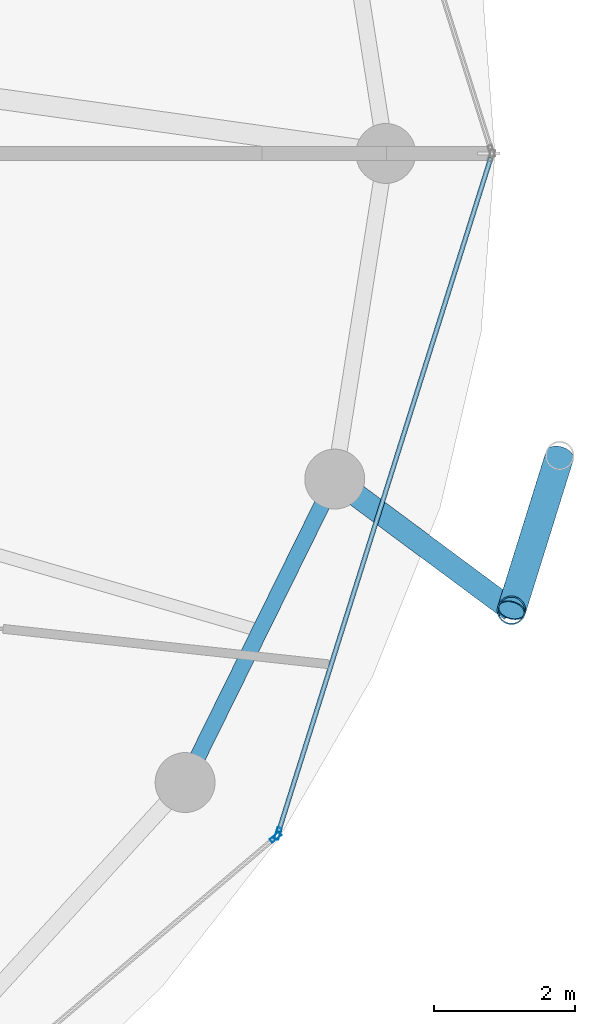
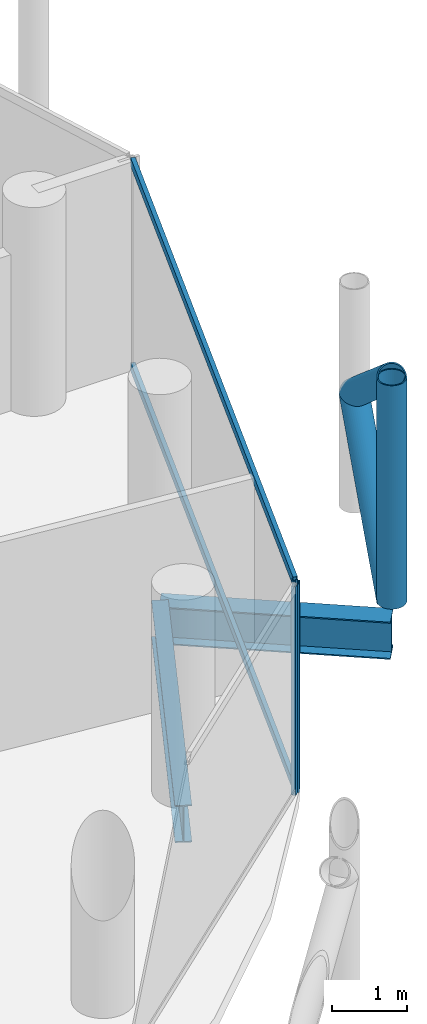
# One storey, part 13 of 28: 7 members, 2 beams, 2 elements without a shape of their own.
"""IFC4 building model written with IfcOpenShell, lengths in metres."""

from ifc_helpers import new_model, si_unit, direction, frame, origin, origin_2d, place, context, subcontext, project, spatial, hollow_rectangle, hollow_circle, i_section, extrude, material, layer, layer_set, material_profile, profile_set, type_object, element, aggregate, save


model = new_model("IFC4")

# Units and contexts
model_context = context("Model", 3, precision=1e-05, world=origin(), true_north=direction((0.0, 1.0)))
body_context = subcontext(model_context, "Body", "Model", "MODEL_VIEW")
ifc_project = project(units=[si_unit("LENGTHUNIT", "METRE"), si_unit("AREAUNIT", "SQUARE_METRE"), si_unit("VOLUMEUNIT", "CUBIC_METRE"), si_unit("PLANEANGLEUNIT", "RADIAN"), si_unit("MASSUNIT", "GRAM", prefix="KILO")], contexts=[model_context])

# Site, building, storey
site_placement = place(None, origin())
site = spatial("IfcSite", under=ifc_project, at=site_placement, CompositionType="ELEMENT")
building_placement = place(site_placement, origin())
building = spatial("IfcBuilding", under=site, at=building_placement, Name="Nuhasar Tower", CompositionType="ELEMENT")
storey_placement = place(building_placement, frame((0.0, 0.0, 222.75)))
storey = spatial("IfcBuildingStorey", under=building, at=storey_placement, Name="L54", CompositionType="ELEMENT", Elevation=222.75)

# Beams
ifc_material_1 = material(Name="Steel S355", Category="steel")
ifc_material_profile_1 = material_profile(ifc_material_1, i_section(OverallWidth=0.22802734375, OverallDepth=0.60791015625, WebThickness=0.01123046875, FlangeThickness=0.017333984375, at=origin_2d()), Name="W24X76")
ifc_profile_set_1 = profile_set([ifc_material_profile_1], Name="Steel S355")
beam_type_1 = type_object("IfcBeamType", Name="BM-RING-W24X76", PredefinedType="SPANDREL", material=ifc_profile_set_1)
beam_1_placement = place(storey_placement, frame((57.403076171875, 17.875, -0.5439453125), z_axis=(0.442262779282, 0.896885518928, 0.0), x_axis=(-0.896885518928, 0.442262779282, 0.0)))
element("IfcBeam", 1, at=beam_1_placement, inside=storey, type_object=beam_type_1, Name="L54 Perimeter Ring Spandrel 23", PredefinedType="SPANDREL", context=body_context, shape_type="SweptSolid", body=[
    extrude(i_section(OverallWidth=0.22802734375, OverallDepth=0.60791015625, WebThickness=0.01123046875, FlangeThickness=0.017333984375, at=origin_2d()), origin(), (0.0, 0.0, 1.0), 4.7998046875),
])
ifc_material_profile_2 = material_profile(ifc_material_1, i_section(OverallWidth=0.323974609375, OverallDepth=0.611083984375, WebThickness=0.0126953125, FlangeThickness=0.01904296875, at=origin_2d()), Name="W24X104")
ifc_profile_set_2 = profile_set([ifc_material_profile_2], Name="Steel S355")
beam_type_2 = type_object("IfcBeamType", Name="BM-TIE-W24X104", PredefinedType="BEAM", material=ifc_profile_set_2)
beam_2_placement = place(storey_placement, frame((59.52587890625, 22.179931640625, -0.5458984375), z_axis=(0.802983345014, -0.596001466131, 0.0), x_axis=(0.596001466131, 0.802983345014, 0.0)))
element("IfcBeam", 2, at=beam_2_placement, inside=storey, type_object=beam_type_2, Name="L54 Exoskeleton Node Tie Beam 12", PredefinedType="BEAM", context=body_context, shape_type="SweptSolid", body=[
    extrude(i_section(OverallWidth=0.323974609375, OverallDepth=0.611083984375, WebThickness=0.0126953125, FlangeThickness=0.01904296875, at=origin_2d()), origin(), (0.0, 0.0, 1.0), 3.122314453125),
])

# Curtain wall, member
ifc_material_2 = material(Name="Aluminium 6063-T6", Category="aluminium")
ifc_layer = layer(ifc_material_2, 0.18994140625)
ifc_layer_set = layer_set([ifc_layer], Name="Aluminium 6063-T6")
curtain_wall_type = type_object("IfcCurtainWallType", Name="CW-Z3-RES", PredefinedType="NOTDEFINED", material=ifc_layer_set)
curtain_wall_1_placement = place(storey_placement, origin())
curtain_wall_1 = element("IfcCurtainWall", 3, at=curtain_wall_1_placement, inside=storey, type_object=curtain_wall_type, Name="L54 Unitised Curtain Wall 11", PredefinedType="NOTDEFINED")
ifc_material_profile_3 = material_profile(ifc_material_2, hollow_rectangle(XDim=0.06494140625, YDim=0.169921875, WallThickness=0.0048828125, at=origin_2d()), Name="CWM-4")
ifc_profile_set_3 = profile_set([ifc_material_profile_3], Name="Aluminium 6063-T6")
member_type_1 = type_object("IfcMemberType", Name="CW-MUL-S4", PredefinedType="MULLION", material=ifc_profile_set_3)
member_1_placement = place(storey_placement, frame((58.686279296875, 17.098876953125, 0.0), z_axis=(0.0, 0.0, 1.0), x_axis=(-0.64789521578, 0.761729472562, 0.0)))
member_1 = element("IfcMember", 4, at=member_1_placement, type_object=member_type_1, Name="CW-Z3 mullion 2", PredefinedType="MULLION", context=body_context, shape_type="SweptSolid", body=[
    extrude(hollow_rectangle(XDim=0.06494140625, YDim=0.169921875, WallThickness=0.0048828125, at=origin_2d()), origin(), (0.0, 0.0, 1.0), 3.409912109375),
])
aggregate(curtain_wall_1, [member_1])

# Curtain wall, members
curtain_wall_2_placement = place(storey_placement, origin())
curtain_wall_2 = element("IfcCurtainWall", 5, at=curtain_wall_2_placement, inside=storey, type_object=curtain_wall_type, Name="L54 Unitised Curtain Wall 12", PredefinedType="NOTDEFINED")
member_2_placement = place(storey_placement, frame((58.720703125, 17.15087890625, 0.0), z_axis=(0.0, 0.0, 1.0), x_axis=(-0.95380429279, 0.30042864553, 0.0)))
member_2 = element("IfcMember", 6, at=member_2_placement, type_object=member_type_1, Name="CW-Z3 mullion 1", PredefinedType="MULLION", context=body_context, shape_type="SweptSolid", body=[
    extrude(hollow_rectangle(XDim=0.06494140625, YDim=0.169921875, WallThickness=0.0048828125, at=origin_2d()), origin(), (0.0, 0.0, 1.0), 3.409912109375),
])
ifc_material_profile_4 = material_profile(ifc_material_2, hollow_rectangle(XDim=0.06494140625, YDim=0.139892578125, WallThickness=0.00439453125, at=origin_2d()), Name="CWT-4")
ifc_profile_set_4 = profile_set([ifc_material_profile_4], Name="Aluminium 6063-T6")
member_type_2 = type_object("IfcMemberType", Name="CW-TRN-S4", PredefinedType="USERDEFINED", material=ifc_profile_set_4)
member_3_placement = place(storey_placement, frame((58.73046875, 17.181884765625, 0.032470703125), z_axis=(0.300430390604, 0.953803743126, 0.0), x_axis=(-0.953803743126, 0.300430390604, 0.0)))
member_3 = element("IfcMember", 7, at=member_3_placement, type_object=member_type_2, Name="CW-Z3 transom 1.1", ObjectType="TRANSOM", PredefinedType="USERDEFINED", context=body_context, shape_type="SweptSolid", body=[
    extrude(hollow_rectangle(XDim=0.06494140625, YDim=0.139892578125, WallThickness=0.00439453125, at=origin_2d()), origin(), (0.0, 0.0, 1.0), 10.01904296875),
])
member_4_placement = place(storey_placement, frame((58.73046875, 17.181884765625, 3.37744140625), z_axis=(0.300430390604, 0.953803743126, 0.0), x_axis=(-0.953803743126, 0.300430390604, 0.0)))
member_4 = element("IfcMember", 8, at=member_4_placement, type_object=member_type_2, Name="CW-Z3 transom 1.2", ObjectType="TRANSOM", PredefinedType="USERDEFINED", context=body_context, shape_type="SweptSolid", body=[
    extrude(hollow_rectangle(XDim=0.06494140625, YDim=0.139892578125, WallThickness=0.00439453125, at=origin_2d()), origin(), (0.0, 0.0, 1.0), 10.01904296875),
])
aggregate(curtain_wall_2, [member_2, member_3, member_4])

# Members
ifc_material_3 = material(Name="Steel S460", Category="steel")
ifc_material_profile_5 = material_profile(ifc_material_3, hollow_circle(Radius=0.203125, WallThickness=0.01904296875, at=origin_2d()), Name="HSS406.4X19.1")
ifc_profile_set_5 = profile_set([ifc_material_profile_5], Name="Steel S460")
member_type_3 = type_object("IfcMemberType", Name="EXO-BRONZE-406", PredefinedType="BRACE", material=ifc_profile_set_5)
member_5_placement = place(storey_placement, frame((62.032958984375, 20.319091796875, 0.0), z_axis=(0.0, 0.0, 1.0), x_axis=(1.0, 0.0, 0.0)))
element("IfcMember", 9, at=member_5_placement, inside=storey, type_object=member_type_3, Name="L54 Exoskeleton Chord Column EC-12A", PredefinedType="BRACE", context=body_context, shape_type="SweptSolid", body=[
    extrude(hollow_circle(Radius=0.203125, WallThickness=0.01904296875, at=origin_2d()), origin(), (0.0, 0.0, 1.0), 3.64990234375),
])
for number, where, z_axis, x_axis, name in (
    (10, (62.032958984375, 20.319091796875, 0.0), (0.233372423355, 0.747689980743, 0.621688832709), (-0.954581948223, 0.297948492404, 0.0), "L54 Bronze Diagrid Brace W1-12"),
    (11, (62.718017578125, 22.513916015625, 1.824951171875), (-0.233372423355, -0.747689980743, 0.621688832709), (0.954581948223, -0.297948492404, 0.0), "L54 Bronze Diagrid Brace W2-12"),
):
    element("IfcMember", number, at=place(storey_placement, frame(where, z_axis=z_axis, x_axis=x_axis)), inside=storey, type_object=member_type_3, Name=name, PredefinedType="BRACE", context=body_context, shape_type="SweptSolid", body=[
        extrude(hollow_circle(Radius=0.203125, WallThickness=0.01904296875, at=origin_2d()), origin(), (0.0, 0.0, 1.0), 2.935546875),
    ])

save(model, "model.ifc")
